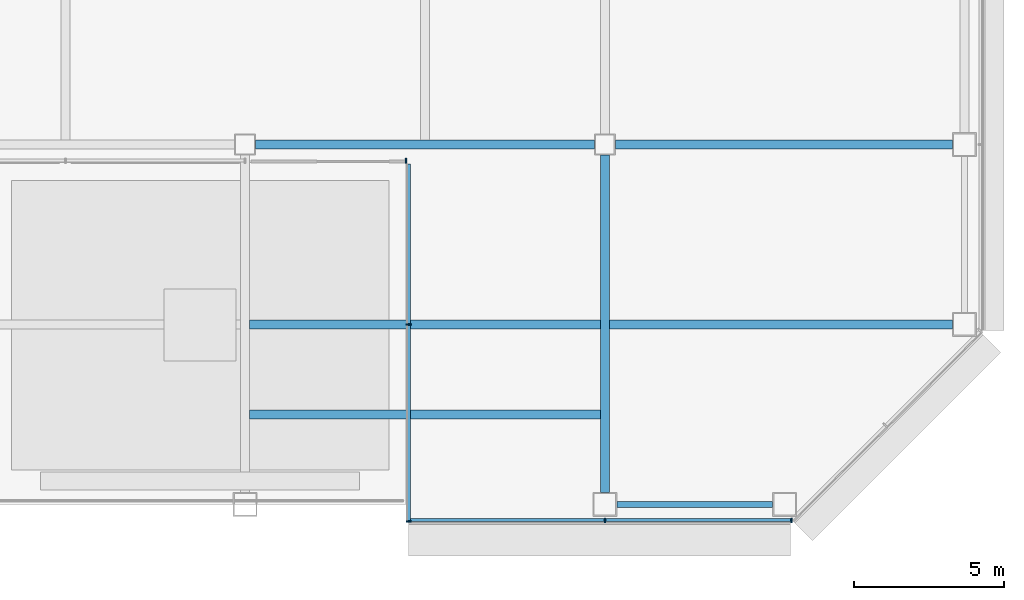
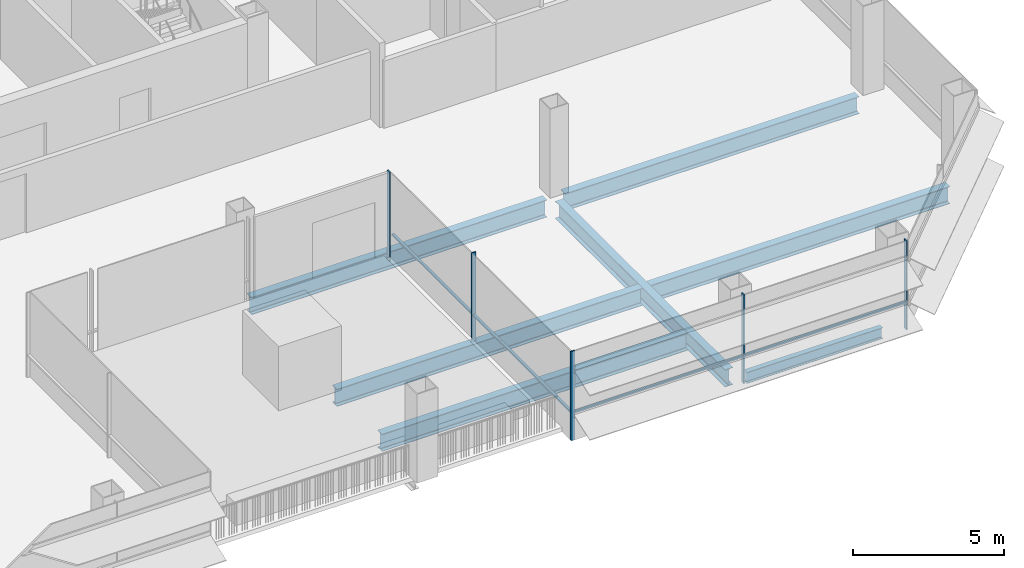
# One storey, part 8 of 26: 7 beams, 7 members, 3 elements without a shape of their own.
"""IFC4 building model written with IfcOpenShell, lengths in metres."""

from ifc_helpers import new_model, si_unit, direction, frame, origin, origin_2d, place, context, subcontext, project, spatial, rectangle, i_section, extrude, material, material_profile, profile_set, type_object, element, aggregate, save


model = new_model("IFC4")

# Units and contexts
model_context = context("Model", 3, precision=1e-05, world=origin(), true_north=direction((0.0, 1.0)))
body_context = subcontext(model_context, "Body", "Model", "MODEL_VIEW")
ifc_project = project(units=[si_unit("LENGTHUNIT", "METRE"), si_unit("AREAUNIT", "SQUARE_METRE"), si_unit("VOLUMEUNIT", "CUBIC_METRE"), si_unit("PLANEANGLEUNIT", "RADIAN"), si_unit("MASSUNIT", "GRAM", prefix="KILO")], contexts=[model_context])

# Site, building, storey
site_placement = place(None, origin())
site = spatial("IfcSite", under=ifc_project, at=site_placement, CompositionType="ELEMENT")
building_placement = place(site_placement, origin())
building = spatial("IfcBuilding", under=site, at=building_placement, Name="Sorahane Residences", CompositionType="ELEMENT")
storey_placement = place(building_placement, frame((0.0, 0.0, 103.39990234375)))
storey = spatial("IfcBuildingStorey", under=building, at=storey_placement, Name="L22", CompositionType="ELEMENT", Elevation=103.39990234375)

# Curtain wall, member
ifc_material_1 = material(Name="Dark low-e glass and black anodised aluminium", Category="aluminium")
curtain_wall_type = type_object("IfcCurtainWallType", Name="Curtain wall CW-1 Typical unitised wall", PredefinedType="NOTDEFINED", material=ifc_material_1)
curtain_wall_1_placement = place(storey_placement, origin())
curtain_wall_1 = element("IfcCurtainWall", 1, at=curtain_wall_1_placement, inside=storey, type_object=curtain_wall_type, Name="CW-1 curtain wall L22 S2", PredefinedType="NOTDEFINED")
ifc_material_2 = material(Name="Black anodised aluminium", Category="aluminium")
ifc_material_profile_1 = material_profile(ifc_material_2, rectangle(XDim=0.159912109375, YDim=0.050048828125, at=origin_2d()), Name="Curtain wall mullion CW-1 black anodised aluminium 50x160")
ifc_profile_set_1 = profile_set([ifc_material_profile_1], Name="Black anodised aluminium")
member_type_1 = type_object("IfcMemberType", Name="Curtain wall mullion CW-1 black anodised aluminium 50x160", PredefinedType="MULLION", material=ifc_profile_set_1)
member_1_placement = place(storey_placement, frame((41.375, 11.4599609375, -0.179931640625), z_axis=(0.0, 0.0, 1.0), x_axis=(0.0, -1.0, 0.0)))
member_1 = element("IfcMember", 2, at=member_1_placement, type_object=member_type_1, Name="CW-1 mullion L22 S2.4", PredefinedType="MULLION", context=body_context, shape_type="SweptSolid", body=[
    extrude(rectangle(XDim=0.159912109375, YDim=0.050048828125, at=origin_2d()), origin(), (0.0, 0.0, 1.0), 3.60009765625),
])
aggregate(curtain_wall_1, [member_1])

# Curtain wall, members
curtain_wall_2_placement = place(storey_placement, origin())
curtain_wall_2 = element("IfcCurtainWall", 3, at=curtain_wall_2_placement, inside=storey, type_object=curtain_wall_type, Name="CW-1 curtain wall L22 W1", PredefinedType="NOTDEFINED")
member_2_placement = place(storey_placement, frame((41.4599609375, 6.0, -0.179931640625), z_axis=(0.0, 0.0, 1.0), x_axis=(-1.0, 0.0, 0.0)))
member_2 = element("IfcMember", 4, at=member_2_placement, type_object=member_type_1, Name="CW-1 mullion L22 W1.2", PredefinedType="MULLION", context=body_context, shape_type="SweptSolid", body=[
    extrude(rectangle(XDim=0.159912109375, YDim=0.050048828125, at=origin_2d()), origin(), (0.0, 0.0, 1.0), 3.60009765625),
])
member_3_placement = place(storey_placement, frame((41.4599609375, -0.574951171875, -0.179931640625), z_axis=(0.0, 0.0, 1.0), x_axis=(-1.0, 0.0, 0.0)))
member_3 = element("IfcMember", 5, at=member_3_placement, type_object=member_type_1, Name="CW-1 mullion L22 W1.3", PredefinedType="MULLION", context=body_context, shape_type="SweptSolid", body=[
    extrude(rectangle(XDim=0.159912109375, YDim=0.050048828125, at=origin_2d()), origin(), (0.0, 0.0, 1.0), 3.60009765625),
])

curtain_wall_3_placement = place(storey_placement, origin())
curtain_wall_3 = element("IfcCurtainWall", 6, at=curtain_wall_3_placement, inside=storey, type_object=curtain_wall_type, Name="CW-1 curtain wall L22 S3", PredefinedType="NOTDEFINED")
member_4_placement = place(storey_placement, frame((48.0, -0.5400390625, -0.179931640625), z_axis=(0.0, 0.0, 1.0), x_axis=(0.0, -1.0, 0.0)))
member_4 = element("IfcMember", 7, at=member_4_placement, type_object=member_type_1, Name="CW-1 mullion L22 S3.2", PredefinedType="MULLION", context=body_context, shape_type="SweptSolid", body=[
    extrude(rectangle(XDim=0.159912109375, YDim=0.050048828125, at=origin_2d()), origin(), (0.0, 0.0, 1.0), 3.60009765625),
])
member_5_placement = place(storey_placement, frame((54.2236328125, -0.5400390625, -0.179931640625), z_axis=(0.0, 0.0, 1.0), x_axis=(0.0, -1.0, 0.0)))
member_5 = element("IfcMember", 8, at=member_5_placement, type_object=member_type_1, Name="CW-1 mullion L22 S3.3", PredefinedType="MULLION", context=body_context, shape_type="SweptSolid", body=[
    extrude(rectangle(XDim=0.159912109375, YDim=0.050048828125, at=origin_2d()), origin(), (0.0, 0.0, 1.0), 3.60009765625),
])

# Member
ifc_material_3 = material(Name="Black anodised aluminium", Category="aluminium")
ifc_material_profile_2 = material_profile(ifc_material_3, rectangle(XDim=0.10009765625, YDim=0.06005859375, at=origin_2d()), Name="Curtain wall transom CW-1 black anodised aluminium 60x100")
ifc_profile_set_2 = profile_set([ifc_material_profile_2], Name="Black anodised aluminium")
member_type_2 = type_object("IfcMemberType", Name="Curtain wall transom CW-1 black anodised aluminium 60x100", PredefinedType="USERDEFINED", material=ifc_profile_set_2)
member_6_placement = place(storey_placement, frame((41.469970703125, 11.35009765625, 0.900146484375), z_axis=(0.0, -1.0, 0.0), x_axis=(1.0, 0.0, 0.0)))
member_6 = element("IfcMember", 9, at=member_6_placement, type_object=member_type_2, Name="CW-1 transom L22 W1", ObjectType="TRANSOM", PredefinedType="USERDEFINED", context=body_context, shape_type="SweptSolid", body=[
    extrude(rectangle(XDim=0.10009765625, YDim=0.06005859375, at=origin_2d()), origin(), (0.0, 0.0, 1.0), 11.900146484375),
])

aggregate(curtain_wall_2, [member_2, member_3, member_6])

member_7_placement = place(storey_placement, frame((41.449951171875, -0.530029296875, 0.900146484375), z_axis=(1.0, 0.0, 0.0), x_axis=(0.0, 1.0, 0.0)))
member_7 = element("IfcMember", 10, at=member_7_placement, type_object=member_type_2, Name="CW-1 transom L22 S3", ObjectType="TRANSOM", PredefinedType="USERDEFINED", context=body_context, shape_type="SweptSolid", body=[
    extrude(rectangle(XDim=0.10009765625, YDim=0.06005859375, at=origin_2d()), origin(), (0.0, 0.0, 1.0), 12.74853515625),
])

aggregate(curtain_wall_3, [member_4, member_5, member_7])

# Beams
ifc_material_4 = material(Name="Steel Q355B", Category="steel")
ifc_material_profile_3 = material_profile(ifc_material_4, i_section(OverallWidth=0.199951171875, OverallDepth=0.449951171875, WebThickness=0.009033203125, FlangeThickness=0.013916015625, FilletRadius=0.02001953125, at=origin_2d()), Name="HN 450x200x9x14")
ifc_profile_set_3 = profile_set([ifc_material_profile_3], Name="Steel Q355B")
beam_type_1 = type_object("IfcBeamType", Name="Steel floor beam HN 450x200x9x14 Q355B", PredefinedType="BEAM", material=ifc_profile_set_3)
beam_1_placement = place(storey_placement, frame((48.39990234375, 0.0, -0.40478515625), z_axis=(1.0, 0.0, 0.0), x_axis=(0.0, 1.0, 0.0)))
element("IfcBeam", 11, at=beam_1_placement, inside=storey, type_object=beam_type_1, Name="Beam L22 003", PredefinedType="BEAM", context=body_context, shape_type="SweptSolid", body=[
    extrude(i_section(OverallWidth=0.199951171875, OverallDepth=0.449951171875, WebThickness=0.009033203125, FlangeThickness=0.013916015625, FilletRadius=0.02001953125, at=origin_2d()), origin(), (0.0, 0.0, 1.0), 5.2001953125),
])
ifc_material_5 = material(Name="Steel Q355B", Category="steel")
ifc_material_profile_4 = material_profile(ifc_material_5, i_section(OverallWidth=0.300048828125, OverallDepth=0.699951171875, WebThickness=0.012939453125, FlangeThickness=0.02392578125, FilletRadius=0.028076171875, at=origin_2d()), Name="HN 700x300x13x24")
ifc_profile_set_4 = profile_set([ifc_material_profile_4], Name="Steel Q355B")
beam_type_2 = type_object("IfcBeamType", Name="Steel floor beam HN 700x300x13x24 Q355B", PredefinedType="BEAM", material=ifc_profile_set_4)
beam_2_placement = place(storey_placement, frame((36.35009765625, 12.0, -0.52978515625), z_axis=(1.0, 0.0, 0.0), x_axis=(0.0, 1.0, 0.0)))
element("IfcBeam", 12, at=beam_2_placement, inside=storey, type_object=beam_type_2, Name="Beam L22 008", PredefinedType="BEAM", context=body_context, shape_type="SweptSolid", body=[
    extrude(i_section(OverallWidth=0.300048828125, OverallDepth=0.699951171875, WebThickness=0.012939453125, FlangeThickness=0.02392578125, FilletRadius=0.028076171875, at=origin_2d()), origin(), (0.0, 0.0, 1.0), 11.2998046875),
])
for number, where, z_axis, x_axis, name in (
    (13, (48.35009765625, 12.0, -0.52978515625), (1.0, 0.0, 0.0), (0.0, 1.0, 0.0), "Beam L22 009"),
    (14, (48.0, 0.39990234375, -0.52978515625), (0.0, 1.0, 0.0), (-1.0, 0.0, 0.0), "Beam L22 055"),
):
    element("IfcBeam", number, at=place(storey_placement, frame(where, z_axis=z_axis, x_axis=x_axis)), inside=storey, type_object=beam_type_2, Name=name, PredefinedType="BEAM", context=body_context, shape_type="SweptSolid", body=[
        extrude(i_section(OverallWidth=0.300048828125, OverallDepth=0.699951171875, WebThickness=0.012939453125, FlangeThickness=0.02392578125, FilletRadius=0.028076171875, at=origin_2d()), origin(), (0.0, 0.0, 1.0), 11.25),
    ])
beam_3_placement = place(storey_placement, frame((36.14990234375, 6.0, -0.52978515625), z_axis=(1.0, 0.0, 0.0), x_axis=(0.0, 1.0, 0.0)))
element("IfcBeam", 15, at=beam_3_placement, inside=storey, type_object=beam_type_2, Name="Beam L22 071", PredefinedType="BEAM", context=body_context, shape_type="SweptSolid", body=[
    extrude(i_section(OverallWidth=0.300048828125, OverallDepth=0.699951171875, WebThickness=0.012939453125, FlangeThickness=0.02392578125, FilletRadius=0.028076171875, at=origin_2d()), origin(), (0.0, 0.0, 1.0), 11.7001953125),
])
beam_4_placement = place(storey_placement, frame((48.14990234375, 6.0, -0.52978515625), z_axis=(1.0, 0.0, 0.0), x_axis=(0.0, 1.0, 0.0)))
element("IfcBeam", 16, at=beam_4_placement, inside=storey, type_object=beam_type_2, Name="Beam L22 072", PredefinedType="BEAM", context=body_context, shape_type="SweptSolid", body=[
    extrude(i_section(OverallWidth=0.300048828125, OverallDepth=0.699951171875, WebThickness=0.012939453125, FlangeThickness=0.02392578125, FilletRadius=0.028076171875, at=origin_2d()), origin(), (0.0, 0.0, 1.0), 11.4501953125),
])
beam_5_placement = place(storey_placement, frame((36.150146484375, 3.0, -0.52978515625), z_axis=(1.0, 0.0, 0.0), x_axis=(0.0, 1.0, 0.0)))
element("IfcBeam", 17, at=beam_5_placement, inside=storey, type_object=beam_type_2, Name="Beam L22 088", PredefinedType="BEAM", context=body_context, shape_type="SweptSolid", body=[
    extrude(i_section(OverallWidth=0.300048828125, OverallDepth=0.699951171875, WebThickness=0.012939453125, FlangeThickness=0.02392578125, FilletRadius=0.028076171875, at=origin_2d()), origin(), (0.0, 0.0, 1.0), 11.69970703125),
])

save(model, "model.ifc")
